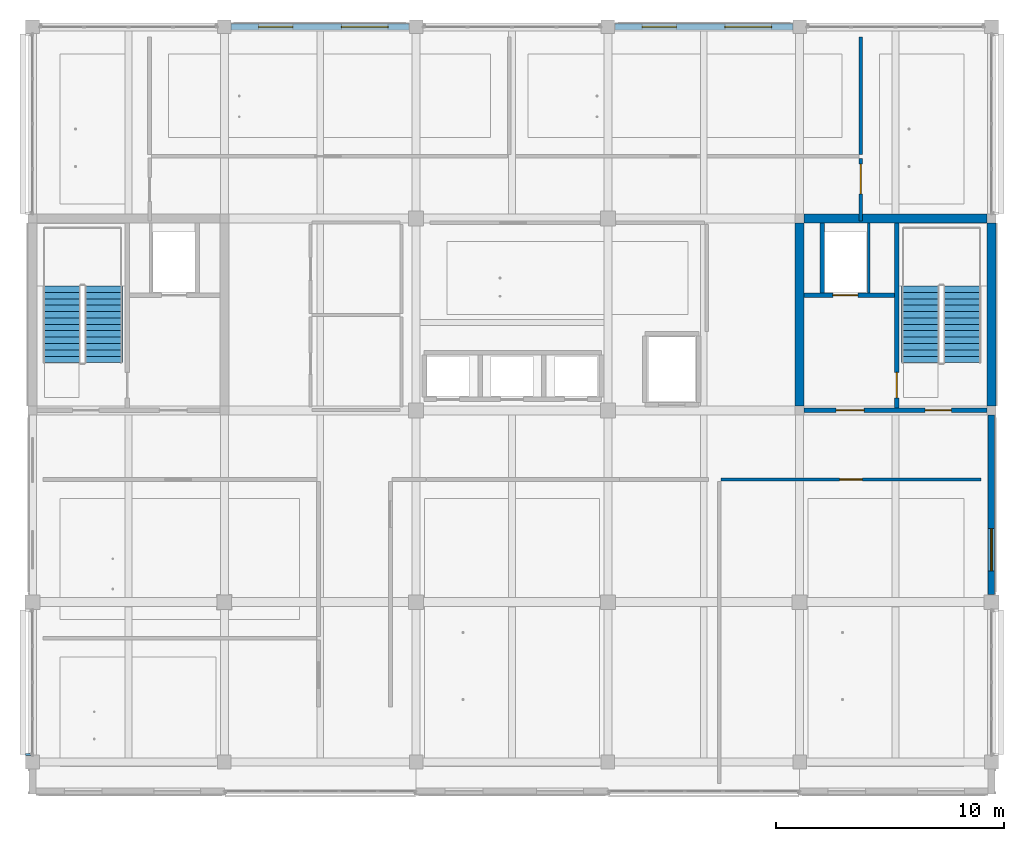
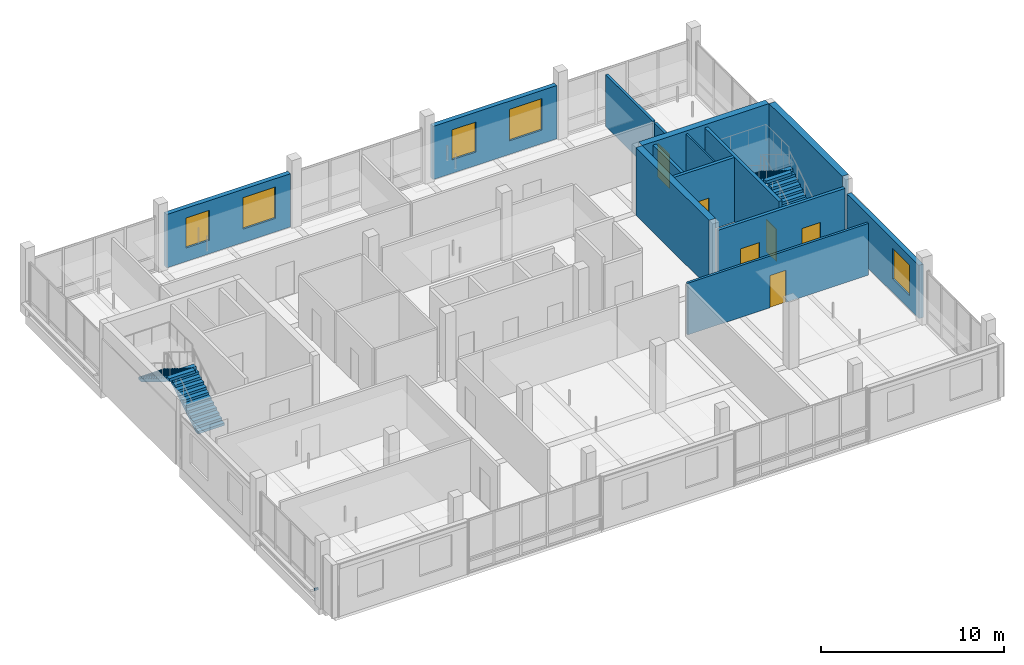
# One storey, part 13 of 30: 14 walls, 6 doors, 5 windows, 4 stair flights, 1 discrete accessory, 11 openings, 2 elements without a shape of their own.
"""IFC4 building model written with IfcOpenShell, lengths in metres."""

from ifc_helpers import new_model, si_unit, direction, frame, frame_2d, origin, origin_2d, place, context, subcontext, project, spatial, polyline, rectangle, outline, extrude, material, layer, layer_set, type_object, element, fill, aggregate, save


model = new_model("IFC4")

# Units and contexts
model_context = context("Model", 3, precision=1e-05, world=origin(), true_north=direction((0.0, 1.0)))
body_context = subcontext(model_context, "Body", "Model", "MODEL_VIEW")
ifc_project = project(units=[si_unit("LENGTHUNIT", "METRE"), si_unit("AREAUNIT", "SQUARE_METRE"), si_unit("VOLUMEUNIT", "CUBIC_METRE"), si_unit("PLANEANGLEUNIT", "RADIAN"), si_unit("MASSUNIT", "GRAM", prefix="KILO")], contexts=[model_context])

# Site, building, storey
site_placement = place(None, origin())
site = spatial("IfcSite", under=ifc_project, at=site_placement, CompositionType="ELEMENT")
building_placement = place(site_placement, origin())
building = spatial("IfcBuilding", under=site, at=building_placement, Name="Telukmera Botanical Conservatory", CompositionType="ELEMENT")
storey_placement = place(building_placement, frame((0.0, 0.0, 60.0)))
storey = spatial("IfcBuildingStorey", under=building, at=storey_placement, Name="L13", CompositionType="ELEMENT", Elevation=60.0)

# Wall, openings, windows
ifc_material_1 = material(Name="Precast concrete C40/50", Category="concrete")
ifc_layer_1 = layer(ifc_material_1, 0.280029296875)
ifc_layer_set_1 = layer_set([ifc_layer_1], Name="Precast concrete C40/50")
wall_type_1 = type_object("IfcWallType", Name="Exterior Laboratory Modular Precast Wall 280", PredefinedType="ELEMENTEDWALL", material=ifc_layer_set_1)
wall_1_placement = place(storey_placement, frame((67.501953125, 42.800048828125, 0.0), z_axis=(0.0, 0.0, 1.0), x_axis=(1.0, 0.0, 0.0)))
wall_1 = element("IfcWall", 1, at=wall_1_placement, inside=storey, type_object=wall_type_1, Name="Exterior Precast Wall EW06 V4:L13:N2", PredefinedType="ELEMENTEDWALL", context=body_context, shape_type="SweptSolid", body=[
    extrude(rectangle(XDim=7.796142578125, YDim=0.280029296875, at=frame_2d((3.89794921875, 0.0))), origin(), (0.0, 0.0, 1.0), 3.550048828125),
])
opening_1_placement = place(wall_1_placement, frame((1.198974609375, 0.0, 0.89990234375)))
opening_1 = element("IfcOpeningElement", 2, at=opening_1_placement, cuts=wall_1, Name="Opening W06", PredefinedType="OPENING", context=body_context, shape_type="SweptSolid", body=[
    extrude(rectangle(XDim=1.5, YDim=2.0, at=frame_2d((0.75, 1.0))), frame((0.0, 0.14990234375, 0.0), z_axis=(0.0, -1.0, 0.0), x_axis=(1.0, 0.0, 0.0)), (0.0, 0.0, 1.0), 0.300048828125),
])
opening_2_placement = place(wall_1_placement, frame((4.822021484375, 0.0, 0.89990234375)))
opening_2 = element("IfcOpeningElement", 3, at=opening_2_placement, cuts=wall_1, Name="Opening W14", PredefinedType="OPENING", context=body_context, shape_type="SweptSolid", body=[
    extrude(rectangle(XDim=2.050048828125, YDim=2.10009765625, at=frame_2d((1.02490234375, 1.050048828125))), frame((0.0, 0.14990234375, 0.0), z_axis=(0.0, -1.0, 0.0), x_axis=(1.0, 0.0, 0.0)), (0.0, 0.0, 1.0), 0.300048828125),
])
ifc_material_2 = material(Name="Thermally broken anodised aluminium frame with low-E double glazing", Category="aluminium")
window_type_1 = type_object("IfcWindowType", Name="Double Vertical Laboratory Viewing Window 1500x2000", PartitioningType="DOUBLE_PANEL_VERTICAL", PredefinedType="WINDOW", material=ifc_material_2)
window_1_placement = place(opening_1_placement, origin())
window_1 = element("IfcWindow", 4, at=window_1_placement, inside=storey, type_object=window_type_1, Name="Facade Window W06 V4:L13:N2 1", OverallHeight=2.0, OverallWidth=1.5, PartitioningType="DOUBLE_PANEL_VERTICAL", PredefinedType="WINDOW", context=body_context, shape_type="SweptSolid", body=[
    extrude(rectangle(XDim=1.5, YDim=2.0, at=frame_2d((0.75, 1.0))), frame((0.0, 0.030029296875, 0.0), z_axis=(0.0, -1.0, 0.0), x_axis=(1.0, 0.0, 0.0)), (0.0, 0.0, 1.0), 0.06005859375),
])
fill(opening_1, window_1)
window_type_2 = type_object("IfcWindowType", Name="Triple Vertical Microscopy Lab Window 2050x2100", PartitioningType="TRIPLE_PANEL_VERTICAL", PredefinedType="WINDOW", material=ifc_material_2)
window_2_placement = place(opening_2_placement, origin())
window_2 = element("IfcWindow", 5, at=window_2_placement, inside=storey, type_object=window_type_2, Name="Facade Window W14 V4:L13:N2 2", OverallHeight=2.10009765625, OverallWidth=2.050048828125, PartitioningType="TRIPLE_PANEL_VERTICAL", PredefinedType="WINDOW", context=body_context, shape_type="SweptSolid", body=[
    extrude(rectangle(XDim=2.050048828125, YDim=2.10009765625, at=frame_2d((1.02490234375, 1.050048828125))), frame((0.0, 0.030029296875, 0.0), z_axis=(0.0, -1.0, 0.0), x_axis=(1.0, 0.0, 0.0)), (0.0, 0.0, 1.0), 0.06005859375),
])
fill(opening_2, window_2)

wall_2_placement = place(storey_placement, frame((84.302001953125, 42.800048828125, 0.0), z_axis=(0.0, 0.0, 1.0), x_axis=(1.0, 0.0, 0.0)))
wall_2 = element("IfcWall", 6, at=wall_2_placement, inside=storey, type_object=wall_type_1, Name="Exterior Precast Wall EW06 V4:L13:N4", PredefinedType="ELEMENTEDWALL", context=body_context, shape_type="SweptSolid", body=[
    extrude(rectangle(XDim=7.7958984375, YDim=0.280029296875, at=frame_2d((3.89794921875, 0.0))), origin(), (0.0, 0.0, 1.0), 3.550048828125),
])
opening_3_placement = place(wall_2_placement, frame((1.198974609375, 0.0, 0.89990234375)))
opening_3 = element("IfcOpeningElement", 7, at=opening_3_placement, cuts=wall_2, Name="Opening W06", PredefinedType="OPENING", context=body_context, shape_type="SweptSolid", body=[
    extrude(rectangle(XDim=1.5, YDim=2.0, at=frame_2d((0.75, 1.0))), frame((0.0, 0.14990234375, 0.0), z_axis=(0.0, -1.0, 0.0), x_axis=(1.0, 0.0, 0.0)), (0.0, 0.0, 1.0), 0.300048828125),
])
opening_4_placement = place(wall_2_placement, frame((4.822021484375, 0.0, 0.89990234375)))
opening_4 = element("IfcOpeningElement", 8, at=opening_4_placement, cuts=wall_2, Name="Opening W14", PredefinedType="OPENING", context=body_context, shape_type="SweptSolid", body=[
    extrude(rectangle(XDim=2.050048828125, YDim=2.10009765625, at=frame_2d((1.02490234375, 1.050048828125))), frame((0.0, 0.14990234375, 0.0), z_axis=(0.0, -1.0, 0.0), x_axis=(1.0, 0.0, 0.0)), (0.0, 0.0, 1.0), 0.300048828125),
])
window_3_placement = place(opening_3_placement, origin())
window_3 = element("IfcWindow", 9, at=window_3_placement, inside=storey, type_object=window_type_1, Name="Facade Window W06 V4:L13:N4 1", OverallHeight=2.0, OverallWidth=1.5, PartitioningType="DOUBLE_PANEL_VERTICAL", PredefinedType="WINDOW", context=body_context, shape_type="SweptSolid", body=[
    extrude(rectangle(XDim=1.5, YDim=2.0, at=frame_2d((0.75, 1.0))), frame((0.0, 0.030029296875, 0.0), z_axis=(0.0, -1.0, 0.0), x_axis=(1.0, 0.0, 0.0)), (0.0, 0.0, 1.0), 0.06005859375),
])
fill(opening_3, window_3)
window_4_placement = place(opening_4_placement, origin())
window_4 = element("IfcWindow", 10, at=window_4_placement, inside=storey, type_object=window_type_2, Name="Facade Window W14 V4:L13:N4 2", OverallHeight=2.10009765625, OverallWidth=2.050048828125, PartitioningType="TRIPLE_PANEL_VERTICAL", PredefinedType="WINDOW", context=body_context, shape_type="SweptSolid", body=[
    extrude(rectangle(XDim=2.050048828125, YDim=2.10009765625, at=frame_2d((1.02490234375, 1.050048828125))), frame((0.0, 0.030029296875, 0.0), z_axis=(0.0, -1.0, 0.0), x_axis=(1.0, 0.0, 0.0)), (0.0, 0.0, 1.0), 0.06005859375),
])
fill(opening_4, window_4)

# Wall, opening, window
wall_3_placement = place(storey_placement, frame((100.800048828125, 17.927001953125, 0.0), z_axis=(0.0, 0.0, 1.0), x_axis=(0.0, 1.0, 0.0)))
wall_3 = element("IfcWall", 11, at=wall_3_placement, inside=storey, type_object=wall_type_1, Name="Exterior Precast Wall EW06 V4:L13:E2", PredefinedType="ELEMENTEDWALL", context=body_context, shape_type="SweptSolid", body=[
    extrude(rectangle(XDim=7.87109375, YDim=0.280029296875, at=frame_2d((3.935546875, 0.0))), origin(), (0.0, 0.0, 1.0), 3.550048828125),
])
opening_5_placement = place(wall_3_placement, frame((1.042724609375, 0.0, 0.89990234375)))
opening_5 = element("IfcOpeningElement", 12, at=opening_5_placement, cuts=wall_3, Name="Opening W12", PredefinedType="OPENING", context=body_context, shape_type="SweptSolid", body=[
    extrude(rectangle(XDim=1.85009765625, YDim=2.050048828125, at=frame_2d((0.925048828125, 1.02490234375))), frame((0.0, 0.14990234375, 0.0), z_axis=(0.0, -1.0, 0.0), x_axis=(1.0, 0.0, 0.0)), (0.0, 0.0, 1.0), 0.300048828125),
])
window_type_3 = type_object("IfcWindowType", Name="Double Horizontal Seminar Suite Window 1850x2050", PartitioningType="DOUBLE_PANEL_HORIZONTAL", PredefinedType="WINDOW", material=ifc_material_2)
window_5_placement = place(opening_5_placement, origin())
window_5 = element("IfcWindow", 13, at=window_5_placement, inside=storey, type_object=window_type_3, Name="Facade Window W12 V4:L13:E2 1", OverallHeight=2.050048828125, OverallWidth=1.85009765625, PartitioningType="DOUBLE_PANEL_HORIZONTAL", PredefinedType="WINDOW", context=body_context, shape_type="SweptSolid", body=[
    extrude(rectangle(XDim=1.85009765625, YDim=2.050048828125, at=frame_2d((0.925048828125, 1.02490234375))), frame((0.0, 0.030029296875, 0.0), z_axis=(0.0, -1.0, 0.0), x_axis=(1.0, 0.0, 0.0)), (0.0, 0.0, 1.0), 0.06005859375),
])
fill(opening_5, window_5)

# Wall, openings, doors
ifc_material_3 = material(Name="Concrete C40/50", Category="concrete")
ifc_layer_2 = layer(ifc_material_3, 0.199951171875)
ifc_layer_set_2 = layer_set([ifc_layer_2], Name="Concrete C40/50")
wall_type_2 = type_object("IfcWallType", Name="WT-CORE-200", PredefinedType="SOLIDWALL", material=ifc_layer_set_2)
wall_4_placement = place(storey_placement, frame((92.60009765625, 26.0, 0.0), z_axis=(0.0, 0.0, 1.0), x_axis=(1.0, 0.0, 0.0)))
wall_4 = element("IfcWall", 14, at=wall_4_placement, inside=storey, type_object=wall_type_2, Name="L13 Core C2 South Fire Wall", PredefinedType="SOLIDWALL", context=body_context, shape_type="SweptSolid", body=[
    extrude(rectangle(XDim=8.0, YDim=0.199951171875, at=frame_2d((4.0, 0.0))), origin(), (0.0, 0.0, 1.0), 3.8798828125),
])
opening_6_placement = place(wall_4_placement, frame((1.39990234375, 0.0, 0.0)))
opening_6 = element("IfcOpeningElement", 15, at=opening_6_placement, cuts=wall_4, Name="Opening FD60C", PredefinedType="OPENING", context=body_context, shape_type="SweptSolid", body=[
    extrude(rectangle(XDim=1.219970703125, YDim=2.14990234375, at=frame_2d((0.60986328125, 1.074951171875))), frame((0.0, 0.10986328125, 0.0), z_axis=(0.0, -1.0, 0.0), x_axis=(1.0, 0.0, 0.0)), (0.0, 0.0, 1.0), 0.219970703125),
])
opening_7_placement = place(wall_4_placement, frame((5.300048828125, 0.0, 0.0)))
opening_7 = element("IfcOpeningElement", 16, at=opening_7_placement, cuts=wall_4, Name="Opening FD60A", PredefinedType="OPENING", context=body_context, shape_type="SweptSolid", body=[
    extrude(rectangle(XDim=1.14990234375, YDim=2.14990234375, at=frame_2d((0.574951171875, 1.074951171875))), frame((0.0, 0.10986328125, 0.0), z_axis=(0.0, -1.0, 0.0), x_axis=(1.0, 0.0, 0.0)), (0.0, 0.0, 1.0), 0.219970703125),
])
ifc_material_4 = material(Name="Hardwood fire door", Category="wood")
door_type_1 = type_object("IfcDoorType", Name="DT-FD60-01", OperationType="NOTDEFINED", PredefinedType="DOOR", material=ifc_material_4)
door_1_placement = place(opening_7_placement, origin())
door_1 = element("IfcDoor", 17, at=door_1_placement, inside=storey, type_object=door_type_1, Name="L13 Stair ST2 Escape Door", OperationType="SINGLE_SWING_RIGHT", OverallHeight=2.14990234375, OverallWidth=1.14990234375, PredefinedType="DOOR", context=body_context, shape_type="SweptSolid", body=[
    extrude(rectangle(XDim=1.14990234375, YDim=2.14990234375, at=frame_2d((0.574951171875, 1.074951171875))), frame((0.0, 0.02490234375, 0.0), z_axis=(0.0, -1.0, 0.0), x_axis=(1.0, 0.0, 0.0)), (0.0, 0.0, 1.0), 0.050048828125),
])
fill(opening_7, door_1)
door_type_2 = type_object("IfcDoorType", Name="DT-FD60-03", OperationType="NOTDEFINED", PredefinedType="DOOR", material=ifc_material_4)
door_2_placement = place(opening_6_placement, origin())
door_2 = element("IfcDoor", 18, at=door_2_placement, inside=storey, type_object=door_type_2, Name="L13 Firefighting Lobby C2 Door", OperationType="SINGLE_SWING_LEFT", OverallHeight=2.14990234375, OverallWidth=1.219970703125, PredefinedType="DOOR", context=body_context, shape_type="SweptSolid", body=[
    extrude(rectangle(XDim=1.219970703125, YDim=2.14990234375, at=frame_2d((0.60986328125, 1.074951171875))), frame((0.0, 0.02490234375, 0.0), z_axis=(0.0, -1.0, 0.0), x_axis=(1.0, 0.0, 0.0)), (0.0, 0.0, 1.0), 0.050048828125),
])
fill(opening_6, door_2)

# Wall, opening, door
wall_5_placement = place(storey_placement, frame((96.64990234375, 26.10009765625, 0.0), z_axis=(0.0, 0.0, 1.0), x_axis=(0.0, 1.0, 0.0)))
wall_5 = element("IfcWall", 19, at=wall_5_placement, inside=storey, type_object=wall_type_2, Name="L13 Core C2 Stair-Lobby Wall", PredefinedType="SOLIDWALL", context=body_context, shape_type="SweptSolid", body=[
    extrude(rectangle(XDim=8.099853515625, YDim=0.199951171875, at=frame_2d((4.0498046875, 0.0))), origin(), (0.0, 0.0, 1.0), 4.300048828125),
])
opening_8_placement = place(wall_5_placement, frame((0.449951171875, 0.0, 0.0)))
opening_8 = element("IfcOpeningElement", 20, at=opening_8_placement, cuts=wall_5, Name="Opening FD60B", PredefinedType="OPENING", context=body_context, shape_type="SweptSolid", body=[
    extrude(rectangle(XDim=1.1201171875, YDim=2.14990234375, at=frame_2d((0.56005859375, 1.074951171875))), frame((0.0, 0.10986328125, 0.0), z_axis=(0.0, -1.0, 0.0), x_axis=(1.0, 0.0, 0.0)), (0.0, 0.0, 1.0), 0.219970703125),
])
door_type_3 = type_object("IfcDoorType", Name="DT-FD60-02", OperationType="NOTDEFINED", PredefinedType="DOOR", material=ifc_material_4)
door_3_placement = place(opening_8_placement, frame((1.1201171875, 0.0, 0.0), z_axis=(0.0, 0.0, 1.0), x_axis=(-1.0, 0.0, 0.0)))
door_3 = element("IfcDoor", 21, at=door_3_placement, inside=storey, type_object=door_type_3, Name="L13 Firefighting Lobby C2 to ST2 Door", OperationType="SINGLE_SWING_LEFT", OverallHeight=2.14990234375, OverallWidth=1.1201171875, PredefinedType="DOOR", context=body_context, shape_type="SweptSolid", body=[
    extrude(rectangle(XDim=1.1201171875, YDim=2.14990234375, at=frame_2d((0.56005859375, 1.074951171875))), frame((0.0, 0.02490234375, 0.0), z_axis=(0.0, -1.0, 0.0), x_axis=(1.0, 0.0, 0.0)), (0.0, 0.0, 1.0), 0.050048828125),
])
fill(opening_8, door_3)

wall_6_placement = place(storey_placement, frame((92.60009765625, 31.050048828125, 0.0), z_axis=(0.0, 0.0, 1.0), x_axis=(1.0, 0.0, 0.0)))
wall_6 = element("IfcWall", 22, at=wall_6_placement, inside=storey, type_object=wall_type_2, Name="L13 Fire Lift FL2 Shaft Front Wall", PredefinedType="SOLIDWALL", context=body_context, shape_type="SweptSolid", body=[
    extrude(rectangle(XDim=3.949951171875, YDim=0.199951171875, at=frame_2d((1.97509765625, 0.0))), origin(), (0.0, 0.0, 1.0), 4.300048828125),
])
opening_9_placement = place(wall_6_placement, frame((1.25, 0.0, 0.0)))
opening_9 = element("IfcOpeningElement", 23, at=opening_9_placement, cuts=wall_6, Name="Opening LD01", PredefinedType="OPENING", context=body_context, shape_type="SweptSolid", body=[
    extrude(rectangle(XDim=1.10009765625, YDim=2.14990234375, at=frame_2d((0.550048828125, 1.074951171875))), frame((0.0, 0.10986328125, 0.0), z_axis=(0.0, -1.0, 0.0), x_axis=(1.0, 0.0, 0.0)), (0.0, 0.0, 1.0), 0.219970703125),
])
ifc_material_5 = material(Name="Stainless steel 316", Category="steel")
door_type_4 = type_object("IfcDoorType", Name="DT-LD01", OperationType="SLIDING_TO_LEFT", PredefinedType="DOOR", material=ifc_material_5)
door_4_placement = place(opening_9_placement, frame((1.10009765625, 0.0, 0.0), z_axis=(0.0, 0.0, 1.0), x_axis=(-1.0, 0.0, 0.0)))
door_4 = element("IfcDoor", 24, at=door_4_placement, inside=storey, type_object=door_type_4, Name="L13 Lift Landing Door FL2", OperationType="SLIDING_TO_LEFT", OverallHeight=2.14990234375, OverallWidth=1.10009765625, PredefinedType="DOOR", context=body_context, shape_type="SweptSolid", body=[
    extrude(rectangle(XDim=1.10009765625, YDim=2.14990234375, at=frame_2d((0.550048828125, 1.074951171875))), frame((0.0, 0.02490234375, 0.0), z_axis=(0.0, -1.0, 0.0), x_axis=(1.0, 0.0, 0.0)), (0.0, 0.0, 1.0), 0.050048828125),
])
fill(opening_9, door_4)

# Walls
wall_7_placement = place(storey_placement, frame((93.3798828125, 31.14990234375, 0.0), z_axis=(0.0, 0.0, 1.0), x_axis=(0.0, 1.0, 0.0)))
element("IfcWall", 25, at=wall_7_placement, inside=storey, type_object=wall_type_2, Name="L13 Fire Lift FL2 Shaft West Wall", PredefinedType="SOLIDWALL", context=body_context, shape_type="SweptSolid", body=[
    extrude(rectangle(XDim=3.050048828125, YDim=0.199951171875, at=frame_2d((1.52490234375, 0.0))), origin(), (0.0, 0.0, 1.0), 4.300048828125),
])
ifc_material_6 = material(Name="Gypsum acoustic stud partition")
ifc_layer_3 = layer(ifc_material_6, 0.159912109375)
ifc_layer_set_3 = layer_set([ifc_layer_3], Name="Gypsum acoustic stud partition")
wall_type_3 = type_object("IfcWallType", Name="WT-LAB-160", PredefinedType="PARTITIONING", material=ifc_layer_set_3)
wall_8_placement = place(storey_placement, frame((95.074951171875, 37.215087890625, 0.0), z_axis=(0.0, 0.0, 1.0), x_axis=(0.0, 1.0, 0.0)))
element("IfcWall", 26, at=wall_8_placement, inside=storey, type_object=wall_type_3, Name="L13 Interior Partition 25", PredefinedType="PARTITIONING", context=body_context, shape_type="SweptSolid", body=[
    extrude(rectangle(XDim=5.135009765625, YDim=0.159912109375, at=frame_2d((2.5673828125, 0.0))), origin(), (0.0, 0.0, 1.0), 3.449951171875),
])
ifc_material_7 = material(Name="Gypsum shaftwall liner")
ifc_layer_4 = layer(ifc_material_7, 0.110107421875)
ifc_layer_set_4 = layer_set([ifc_layer_4], Name="Gypsum shaftwall liner")
wall_type_4 = type_object("IfcWallType", Name="WT-RISER-110", PredefinedType="PARTITIONING", material=ifc_layer_set_4)
wall_9_placement = place(storey_placement, frame((95.419921875, 31.14990234375, 0.0), z_axis=(0.0, 0.0, 1.0), x_axis=(0.0, 1.0, 0.0)))
element("IfcWall", 27, at=wall_9_placement, inside=storey, type_object=wall_type_4, Name="L13 Wet Riser C2 Shaft Wall", PredefinedType="PARTITIONING", context=body_context, shape_type="SweptSolid", body=[
    extrude(rectangle(XDim=3.050048828125, YDim=0.110107421875, at=frame_2d((1.52490234375, 0.0))), origin(), (0.0, 0.0, 1.0), 4.300048828125),
])

# Wall, opening, door
ifc_layer_5 = layer(ifc_material_6, 0.14990234375)
ifc_layer_set_5 = layer_set([ifc_layer_5], Name="Gypsum acoustic stud partition")
wall_type_5 = type_object("IfcWallType", Name="WT-STD-150", PredefinedType="PARTITIONING", material=ifc_layer_set_5)
wall_10_placement = place(storey_placement, frame((88.949951171875, 22.97509765625, 0.0), z_axis=(0.0, 0.0, 1.0), x_axis=(1.0, 0.0, 0.0)))
wall_10 = element("IfcWall", 28, at=wall_10_placement, inside=storey, type_object=wall_type_5, Name="L13 Interior Partition 13", PredefinedType="PARTITIONING", context=body_context, shape_type="SweptSolid", body=[
    extrude(rectangle(XDim=11.400146484375, YDim=0.14990234375, at=frame_2d((5.7001953125, 0.0))), origin(), (0.0, 0.0, 1.0), 3.449951171875),
])
opening_10_placement = place(wall_10_placement, frame((5.199951171875, 0.0, 0.0)))
opening_10 = element("IfcOpeningElement", 29, at=opening_10_placement, cuts=wall_10, Name="Opening ID14", PredefinedType="OPENING", context=body_context, shape_type="SweptSolid", body=[
    extrude(rectangle(XDim=1.0, YDim=2.14990234375, at=frame_2d((0.5, 1.074951171875))), frame((0.0, 0.0849609375, 0.0), z_axis=(0.0, -1.0, 0.0), x_axis=(1.0, 0.0, 0.0)), (0.0, 0.0, 1.0), 0.169921875),
])
ifc_material_8 = material(Name="Acoustic timber office door", Category="wood")
door_type_5 = type_object("IfcDoorType", Name="DT-WRT-100", OperationType="NOTDEFINED", PredefinedType="DOOR", material=ifc_material_8)
door_5_placement = place(opening_10_placement, frame((1.0, 0.0, 0.0), z_axis=(0.0, 0.0, 1.0), x_axis=(-1.0, 0.0, 0.0)))
door_5 = element("IfcDoor", 30, at=door_5_placement, inside=storey, type_object=door_type_5, Name="L13 Laboratory Write-Up Studio Door", OperationType="SINGLE_SWING_RIGHT", OverallHeight=2.14990234375, OverallWidth=1.0, PredefinedType="DOOR", context=body_context, shape_type="SweptSolid", body=[
    extrude(rectangle(XDim=1.0, YDim=2.14990234375, at=frame_2d((0.5, 1.074951171875))), frame((0.0, 0.02490234375, 0.0), z_axis=(0.0, -1.0, 0.0), x_axis=(1.0, 0.0, 0.0)), (0.0, 0.0, 1.0), 0.050048828125),
])
fill(opening_10, door_5)

wall_11_placement = place(storey_placement, frame((95.074951171875, 34.300048828125, 0.0), z_axis=(0.0, 0.0, 1.0), x_axis=(0.0, 1.0, 0.0)))
wall_11 = element("IfcWall", 31, at=wall_11_placement, inside=storey, type_object=wall_type_5, Name="L13 Interior Partition 22", PredefinedType="PARTITIONING", context=body_context, shape_type="SweptSolid", body=[
    extrude(rectangle(XDim=2.73486328125, YDim=0.14990234375, at=frame_2d((1.367431640625, 0.0))), origin(), (0.0, 0.0, 1.0), 3.449951171875),
])
opening_11_placement = place(wall_11_placement, frame((1.18505859375, 0.0, 0.0)))
opening_11 = element("IfcOpeningElement", 32, at=opening_11_placement, cuts=wall_11, Name="Opening ID07", PredefinedType="OPENING", context=body_context, shape_type="SweptSolid", body=[
    extrude(rectangle(XDim=1.300048828125, YDim=2.25, at=frame_2d((0.64990234375, 1.125))), frame((0.0, 0.0849609375, 0.0), z_axis=(0.0, -1.0, 0.0), x_axis=(1.0, 0.0, 0.0)), (0.0, 0.0, 1.0), 0.169921875),
])
ifc_material_9 = material(Name="Acoustic timber seminar door", Category="wood")
door_type_6 = type_object("IfcDoorType", Name="DT-SEM-130", OperationType="NOTDEFINED", PredefinedType="DOOR", material=ifc_material_9)
door_6_placement = place(opening_11_placement, frame((1.300048828125, 0.0, 0.0), z_axis=(0.0, 0.0, 1.0), x_axis=(-1.0, 0.0, 0.0)))
door_6 = element("IfcDoor", 33, at=door_6_placement, inside=storey, type_object=door_type_6, Name="L13 Conservation Policy Seminar Room Door", OperationType="SINGLE_SWING_RIGHT", OverallHeight=2.25, OverallWidth=1.300048828125, PredefinedType="DOOR", context=body_context, shape_type="SweptSolid", body=[
    extrude(rectangle(XDim=1.300048828125, YDim=2.25, at=frame_2d((0.64990234375, 1.125))), frame((0.0, 0.02490234375, 0.0), z_axis=(0.0, -1.0, 0.0), x_axis=(1.0, 0.0, 0.0)), (0.0, 0.0, 1.0), 0.050048828125),
])
fill(opening_11, door_6)

# Walls
ifc_material_10 = material(Name="Concrete C50/60", Category="concrete")
ifc_layer_6 = layer(ifc_material_10, 0.39990234375)
ifc_layer_set_6 = layer_set([ifc_layer_6], Name="Concrete C50/60")
wall_type_6 = type_object("IfcWallType", Name="Wall_CW1", PredefinedType="SHEAR", material=ifc_layer_set_6)
for number, where, z_axis, x_axis, name in (
    (34, (92.39990234375, 26.199951171875, 0.0), (0.0, 0.0, 1.0), (0.0, 1.0, 0.0), "Core C2 Shear Wall West L13"),
    (35, (100.800048828125, 26.199951171875, 0.0), (0.0, 0.0, 1.0), (0.0, 1.0, 0.0), "Core C2 Shear Wall East L13"),
    (36, (92.60009765625, 34.39990234375, 0.0), (0.0, 0.0, 1.0), (1.0, 0.0, 0.0), "Core C2 Shear Wall North L13"),
):
    element("IfcWall", number, at=place(storey_placement, frame(where, z_axis=z_axis, x_axis=x_axis)), inside=storey, type_object=wall_type_6, Name=name, PredefinedType="SHEAR", context=body_context, shape_type="SweptSolid", body=[
        extrude(rectangle(XDim=8.0, YDim=0.39990234375, at=frame_2d((4.0, 0.0))), origin(), (0.0, 0.0, 1.0), 4.5),
    ])

# Stair, stair flights
stair_type = type_object("IfcStairType", Name="ST-ESC-4500", PredefinedType="HALF_TURN_STAIR", material=ifc_material_3)
stair_1_placement = place(storey_placement, origin())
stair_1 = element("IfcStair", 37, at=stair_1_placement, inside=storey, type_object=stair_type, Name="L13 Protected Escape Stair ST1", PredefinedType="HALF_TURN_STAIR")
stair_flight_type = type_object("IfcStairFlightType", Name="SF-ESC-4500", PredefinedType="STRAIGHT", material=ifc_material_3)
stair_flight_1_placement = place(storey_placement, frame((61.89990234375, 28.090087890625, 0.0), z_axis=(0.0, 0.0, 1.0), x_axis=(0.0, 1.0, 0.0)))
stair_flight_1 = element("IfcStairFlight", 38, at=stair_flight_1_placement, type_object=stair_flight_type, Name="ST1 flight 1", NumberOfRisers=13, NumberOfTreads=12, PredefinedType="STRAIGHT", RiserHeight=0.173076923, TreadLength=0.28, context=body_context, shape_type="SweptSolid", body=[
    extrude(outline(polyline([(0.0, 0.0), (0.0, 0.173095703125), (0.280029296875, 0.173095703125), (0.280029296875, 0.34619140625), (0.56005859375, 0.34619140625), (0.56005859375, 0.519287109375), (0.840087890625, 0.519287109375), (0.840087890625, 0.6923828125), (1.1201171875, 0.6923828125), (1.1201171875, 0.865478515625), (1.39990234375, 0.865478515625), (1.39990234375, 1.03857421875), (1.679931640625, 1.03857421875), (1.679931640625, 1.21142578125), (1.9599609375, 1.21142578125), (1.9599609375, 1.384521484375), (2.239990234375, 1.384521484375), (2.239990234375, 1.5576171875), (2.52001953125, 1.5576171875), (2.52001953125, 1.730712890625), (2.800048828125, 1.730712890625), (2.800048828125, 1.90380859375), (3.080078125, 1.90380859375), (3.080078125, 2.076904296875), (3.360107421875, 2.076904296875), (3.360107421875, 2.25), (3.360107421875, 1.888916015625), (0.30419921875, 0.0), (0.0, 0.0)])), frame((0.0, 0.830078125, 0.0), z_axis=(0.0, -1.0, 0.0), x_axis=(1.0, 0.0, 0.0)), (0.0, 0.0, 1.0), 1.659912109375),
])
stair_flight_2_placement = place(storey_placement, frame((60.080078125, 31.449951171875, 2.25), z_axis=(0.0, 0.0, 1.0), x_axis=(0.0, -1.0, 0.0)))
stair_flight_2 = element("IfcStairFlight", 39, at=stair_flight_2_placement, type_object=stair_flight_type, Name="ST1 flight 2", NumberOfRisers=13, NumberOfTreads=12, PredefinedType="STRAIGHT", RiserHeight=0.173076923, TreadLength=0.28, context=body_context, shape_type="SweptSolid", body=[
    extrude(outline(polyline([(0.0, 0.0), (0.0, 0.173095703125), (0.280029296875, 0.173095703125), (0.280029296875, 0.34619140625), (0.56005859375, 0.34619140625), (0.56005859375, 0.519287109375), (0.840087890625, 0.519287109375), (0.840087890625, 0.6923828125), (1.1201171875, 0.6923828125), (1.1201171875, 0.865478515625), (1.39990234375, 0.865478515625), (1.39990234375, 1.03857421875), (1.679931640625, 1.03857421875), (1.679931640625, 1.21142578125), (1.9599609375, 1.21142578125), (1.9599609375, 1.384521484375), (2.239990234375, 1.384521484375), (2.239990234375, 1.5576171875), (2.52001953125, 1.5576171875), (2.52001953125, 1.730712890625), (2.800048828125, 1.730712890625), (2.800048828125, 1.90380859375), (3.080078125, 1.90380859375), (3.080078125, 2.076904296875), (3.360107421875, 2.076904296875), (3.360107421875, 2.25), (3.360107421875, 1.888916015625), (0.30419921875, 0.0), (0.0, 0.0)])), frame((0.0, 0.830078125, 0.0), z_axis=(0.0, -1.0, 0.0), x_axis=(1.0, 0.0, 0.0)), (0.0, 0.0, 1.0), 1.659912109375),
])
aggregate(stair_1, [stair_flight_1, stair_flight_2])

stair_2_placement = place(storey_placement, origin())
stair_2 = element("IfcStair", 40, at=stair_2_placement, inside=storey, type_object=stair_type, Name="L13 Protected Escape Stair ST2", PredefinedType="HALF_TURN_STAIR")
stair_flight_3_placement = place(storey_placement, frame((99.52001953125, 28.090087890625, 0.0), z_axis=(0.0, 0.0, 1.0), x_axis=(0.0, 1.0, 0.0)))
stair_flight_3 = element("IfcStairFlight", 41, at=stair_flight_3_placement, type_object=stair_flight_type, Name="ST2 flight 1", NumberOfRisers=13, NumberOfTreads=12, PredefinedType="STRAIGHT", RiserHeight=0.173076923, TreadLength=0.28, context=body_context, shape_type="SweptSolid", body=[
    extrude(outline(polyline([(0.0, 0.0), (0.0, 0.173095703125), (0.280029296875, 0.173095703125), (0.280029296875, 0.34619140625), (0.56005859375, 0.34619140625), (0.56005859375, 0.519287109375), (0.840087890625, 0.519287109375), (0.840087890625, 0.6923828125), (1.1201171875, 0.6923828125), (1.1201171875, 0.865478515625), (1.39990234375, 0.865478515625), (1.39990234375, 1.03857421875), (1.679931640625, 1.03857421875), (1.679931640625, 1.21142578125), (1.9599609375, 1.21142578125), (1.9599609375, 1.384521484375), (2.239990234375, 1.384521484375), (2.239990234375, 1.5576171875), (2.52001953125, 1.5576171875), (2.52001953125, 1.730712890625), (2.800048828125, 1.730712890625), (2.800048828125, 1.90380859375), (3.080078125, 1.90380859375), (3.080078125, 2.076904296875), (3.360107421875, 2.076904296875), (3.360107421875, 2.25), (3.360107421875, 1.888916015625), (0.30419921875, 0.0), (0.0, 0.0)])), frame((0.0, 0.830078125, 0.0), z_axis=(0.0, -1.0, 0.0), x_axis=(1.0, 0.0, 0.0)), (0.0, 0.0, 1.0), 1.659912109375),
])
stair_flight_4_placement = place(storey_placement, frame((97.699951171875, 31.449951171875, 2.25), z_axis=(0.0, 0.0, 1.0), x_axis=(0.0, -1.0, 0.0)))
stair_flight_4 = element("IfcStairFlight", 42, at=stair_flight_4_placement, type_object=stair_flight_type, Name="ST2 flight 2", NumberOfRisers=13, NumberOfTreads=12, PredefinedType="STRAIGHT", RiserHeight=0.173076923, TreadLength=0.28, context=body_context, shape_type="SweptSolid", body=[
    extrude(outline(polyline([(0.0, 0.0), (0.0, 0.173095703125), (0.280029296875, 0.173095703125), (0.280029296875, 0.34619140625), (0.56005859375, 0.34619140625), (0.56005859375, 0.519287109375), (0.840087890625, 0.519287109375), (0.840087890625, 0.6923828125), (1.1201171875, 0.6923828125), (1.1201171875, 0.865478515625), (1.39990234375, 0.865478515625), (1.39990234375, 1.03857421875), (1.679931640625, 1.03857421875), (1.679931640625, 1.21142578125), (1.9599609375, 1.21142578125), (1.9599609375, 1.384521484375), (2.239990234375, 1.384521484375), (2.239990234375, 1.5576171875), (2.52001953125, 1.5576171875), (2.52001953125, 1.730712890625), (2.800048828125, 1.730712890625), (2.800048828125, 1.90380859375), (3.080078125, 1.90380859375), (3.080078125, 2.076904296875), (3.360107421875, 2.076904296875), (3.360107421875, 2.25), (3.360107421875, 1.888916015625), (0.30419921875, 0.0), (0.0, 0.0)])), frame((0.0, 0.830078125, 0.0), z_axis=(0.0, -1.0, 0.0), x_axis=(1.0, 0.0, 0.0)), (0.0, 0.0, 1.0), 1.659912109375),
])
aggregate(stair_2, [stair_flight_3, stair_flight_4])

# Discrete accessory
ifc_material_11 = material(Name="Steel S355", Category="steel")
discrete_accessory_type = type_object("IfcDiscreteAccessoryType", Name="Structural Steel Facade Outrigger Fin Bracket", PredefinedType="BRACKET", material=ifc_material_11)
discrete_accessory_placement = place(storey_placement, frame((58.610107421875, 10.931884765625, 0.8798828125), z_axis=(0.0, 0.0, 1.0), x_axis=(0.0, 1.0, 0.0)))
element("IfcDiscreteAccessory", 43, at=discrete_accessory_placement, inside=storey, type_object=discrete_accessory_type, Name="Facade Outrigger Bracket V4:L13:W1 A", PredefinedType="BRACKET", context=body_context, shape_type="SweptSolid", body=[
    extrude(rectangle(XDim=0.10009765625, YDim=0.239990234375, at=origin_2d()), origin(), (0.0, 0.0, 1.0), 0.139892578125),
])

save(model, "model.ifc")
